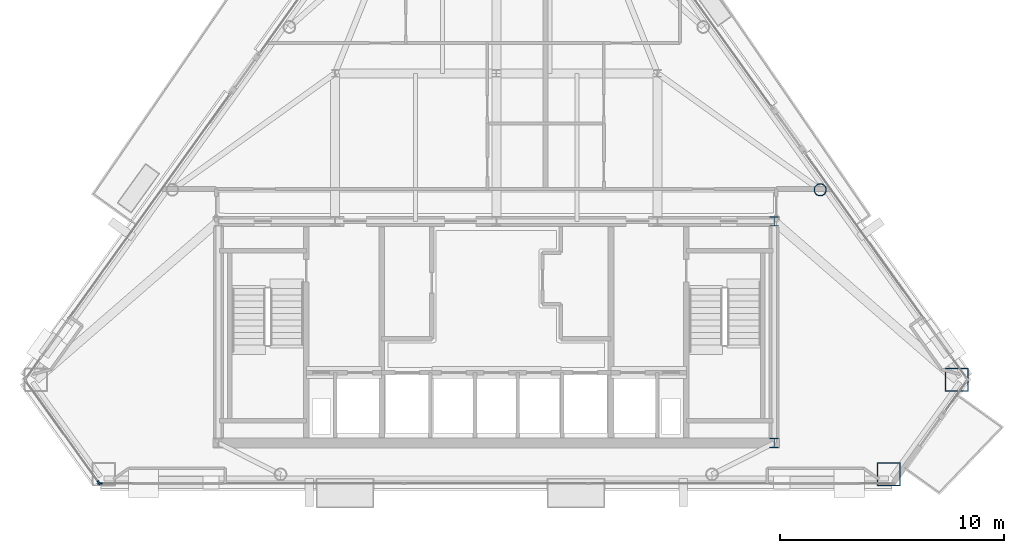
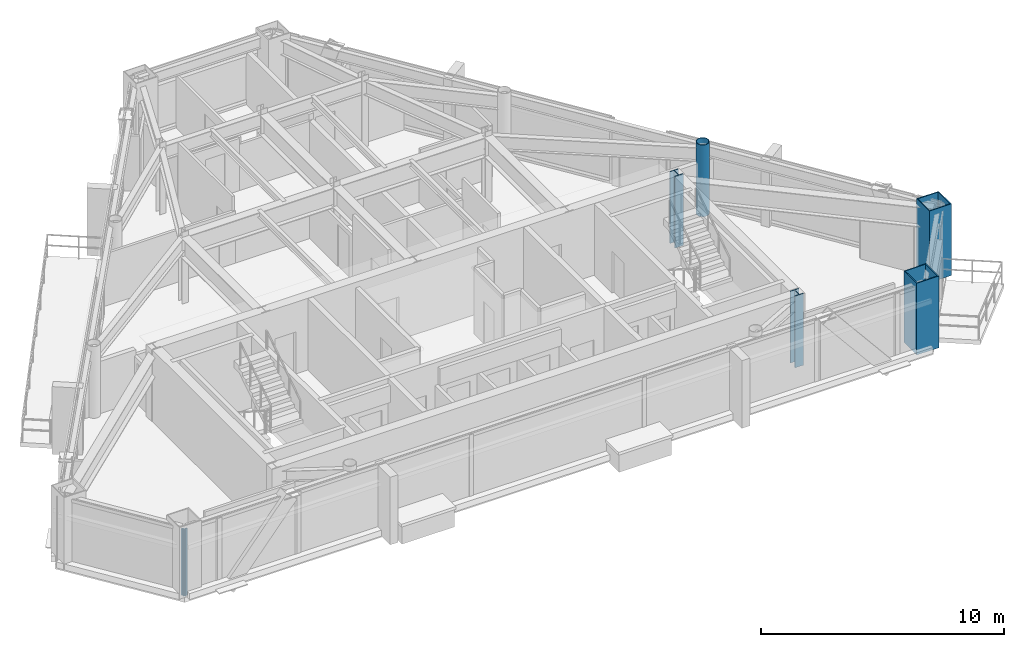
# One storey, part 2 of 11: 5 columns, 2 members, 2 elements without a shape of their own.
"""IFC4 building model written with IfcOpenShell, lengths in metres."""

from ifc_helpers import new_model, si_unit, direction, frame, origin, origin_2d, place, context, subcontext, project, spatial, rectangle, hollow_rectangle, hollow_circle, i_section, extrude, material, layer, layer_set, material_profile, profile_set, type_object, element, aggregate, save


model = new_model("IFC4")

# Units and contexts
model_context = context("Model", 3, precision=1e-05, world=origin(), true_north=direction((0.0, 1.0)))
body_context = subcontext(model_context, "Body", "Model", "MODEL_VIEW")
ifc_project = project(units=[si_unit("LENGTHUNIT", "METRE"), si_unit("AREAUNIT", "SQUARE_METRE"), si_unit("VOLUMEUNIT", "CUBIC_METRE"), si_unit("PLANEANGLEUNIT", "RADIAN"), si_unit("MASSUNIT", "GRAM", prefix="KILO")], contexts=[model_context])

# Site, building, storey
site_placement = place(None, origin())
site = spatial("IfcSite", under=ifc_project, at=site_placement, CompositionType="ELEMENT")
building_placement = place(site_placement, origin())
building = spatial("IfcBuilding", under=site, at=building_placement, Name="Talgorran Terracotta Tower", CompositionType="ELEMENT")
storey_placement = place(building_placement, frame((0.0, 0.0, 207.300048828125)))
storey = spatial("IfcBuildingStorey", under=building, at=storey_placement, Name="L54", CompositionType="ELEMENT", Elevation=207.300048828125)

# Columns
ifc_material_1 = material(Name="Steel S355 (300PLUS)", Category="steel")
ifc_material_profile_1 = material_profile(ifc_material_1, i_section(OverallWidth=0.39990234375, OverallDepth=0.43994140625, WebThickness=0.028076171875, FlangeThickness=0.0400390625, at=origin_2d()), Name="400WC328")
ifc_profile_set_1 = profile_set([ifc_material_profile_1], Name="Steel S355 (300PLUS)")
column_type_1 = type_object("IfcColumnType", Name="COL_400WC328", PredefinedType="COLUMN", material=ifc_profile_set_1)
for number, where, z_axis, x_axis, name in (
    (1, (12.39990234375, -14.10009765625, 0.0), (0.0, 0.0, 1.0), (1.0, 0.0, 0.0), "L54 Core Boundary Column CC2"),
    (2, (12.39990234375, -4.199951171875, 0.0), (0.0, 0.0, 1.0), (1.0, 0.0, 0.0), "L54 Core Boundary Column CC3"),
):
    element("IfcColumn", number, at=place(storey_placement, frame(where, z_axis=z_axis, x_axis=x_axis)), inside=storey, type_object=column_type_1, Name=name, PredefinedType="COLUMN", context=body_context, shape_type="SweptSolid", body=[
        extrude(i_section(OverallWidth=0.39990234375, OverallDepth=0.43994140625, WebThickness=0.028076171875, FlangeThickness=0.0400390625, at=origin_2d()), origin(), (0.0, 0.0, 1.0), 3.599853515625),
    ])
ifc_material_2 = material(Name="Steel Grade 350 (350L0)", Category="steel")
ifc_material_profile_2 = material_profile(ifc_material_2, hollow_rectangle(XDim=1.050048828125, YDim=1.050048828125, WallThickness=0.044921875, at=origin_2d()), Name="CFT1050X1050X45")
ifc_profile_set_2 = profile_set([ifc_material_profile_2], Name="Steel Grade 350 (350L0)")
column_type_2 = type_object("IfcColumnType", Name="COL_CFT_1050", PredefinedType="COLUMN", material=ifc_profile_set_2)
for number, where, z_axis, x_axis, name in (
    (3, (17.5107421875, -15.49658203125, 0.0), (0.0, 0.0, 1.0), (1.0, 0.0, 0.0), "L54 Corner CFT Mega-Column MC3"),
    (4, (20.54833984375, -11.26953125, 0.0), (0.0, 0.0, 1.0), (1.0, 0.0, 0.0), "L54 Corner CFT Mega-Column MC4"),
):
    element("IfcColumn", number, at=place(storey_placement, frame(where, z_axis=z_axis, x_axis=x_axis)), inside=storey, type_object=column_type_2, Name=name, PredefinedType="COLUMN", context=body_context, shape_type="SweptSolid", body=[
        extrude(hollow_rectangle(XDim=1.050048828125, YDim=1.050048828125, WallThickness=0.044921875, at=origin_2d()), origin(), (0.0, 0.0, 1.0), 3.599853515625),
    ])
ifc_material_profile_3 = material_profile(ifc_material_2, hollow_circle(Radius=0.27490234375, WallThickness=0.02392578125, at=origin_2d()), Name="CHS550X24")
ifc_profile_set_3 = profile_set([ifc_material_profile_3], Name="Steel Grade 350 (350L0)")
column_type_3 = type_object("IfcColumnType", Name="COL_CHS_550", PredefinedType="COLUMN", material=ifc_profile_set_3)
column_placement = place(storey_placement, frame((14.45703125, -2.79296875, 0.0), z_axis=(0.0, 0.0, 1.0), x_axis=(1.0, 0.0, 0.0)))
element("IfcColumn", 5, at=column_placement, inside=storey, type_object=column_type_3, Name="L54 Facet Perimeter Column FC3", PredefinedType="COLUMN", context=body_context, shape_type="SweptSolid", body=[
    extrude(hollow_circle(Radius=0.27490234375, WallThickness=0.02392578125, at=origin_2d()), origin(), (0.0, 0.0, 1.0), 3.599853515625),
])

# Curtain wall, member
ifc_material_3 = material(Name="High-Wind Unitised Glazing", Category="glass")
ifc_layer = layer(ifc_material_3, 0.2099609375, Name="CW_SYS3_RES_HIGH")
ifc_layer_set = layer_set([ifc_layer], Name="High-Wind Unitised Glazing")
curtain_wall_type = type_object("IfcCurtainWallType", Name="CW_SYS3_RES_HIGH", PredefinedType="NOTDEFINED", material=ifc_layer_set)
curtain_wall_1_placement = place(storey_placement, origin())
curtain_wall_1 = element("IfcCurtainWall", 6, at=curtain_wall_1_placement, inside=storey, type_object=curtain_wall_type, Name="CW-L54-F0", PredefinedType="NOTDEFINED")
ifc_material_4 = material(Name="Architectural Aluminium 6063-T6", Category="aluminium")
ifc_material_profile_4 = material_profile(ifc_material_4, rectangle(XDim=0.070068359375, YDim=0.199951171875, at=origin_2d()), Name="CWM70X200")
ifc_profile_set_4 = profile_set([ifc_material_profile_4], Name="Architectural Aluminium 6063-T6")
member_type = type_object("IfcMemberType", Name="MUL_70X200", PredefinedType="MULLION", material=ifc_profile_set_4)
member_1_placement = place(storey_placement, frame((-17.736328125, -15.8681640625, 0.0), z_axis=(0.0, 0.0, 1.0), x_axis=(0.812075928954, 0.58355178486, 0.0)))
member_1 = element("IfcMember", 7, at=member_1_placement, type_object=member_type, Name="CW-L54-0 mullion 2", PredefinedType="MULLION", context=body_context, shape_type="SweptSolid", body=[
    extrude(rectangle(XDim=0.070068359375, YDim=0.199951171875, at=origin_2d()), origin(), (0.0, 0.0, 1.0), 3.344970703125),
])
aggregate(curtain_wall_1, [member_1])

curtain_wall_2_placement = place(storey_placement, origin())
curtain_wall_2 = element("IfcCurtainWall", 8, at=curtain_wall_2_placement, inside=storey, type_object=curtain_wall_type, Name="CW-L54-F1", PredefinedType="NOTDEFINED")
member_2_placement = place(storey_placement, frame((-17.680908203125, -15.896728515625, 0.0), z_axis=(0.0, 0.0, 1.0), x_axis=(0.0, 1.0, 0.0)))
member_2 = element("IfcMember", 9, at=member_2_placement, type_object=member_type, Name="CW-L54-1 mullion 1", PredefinedType="MULLION", context=body_context, shape_type="SweptSolid", body=[
    extrude(rectangle(XDim=0.070068359375, YDim=0.199951171875, at=origin_2d()), origin(), (0.0, 0.0, 1.0), 3.344970703125),
])
aggregate(curtain_wall_2, [member_2])

save(model, "model.ifc")
